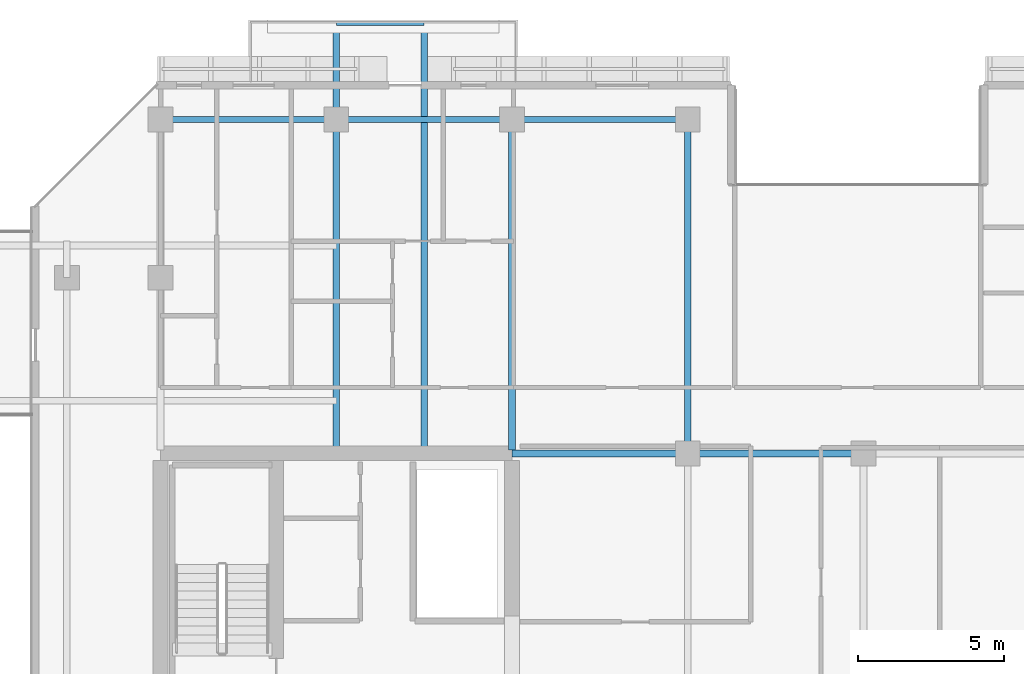
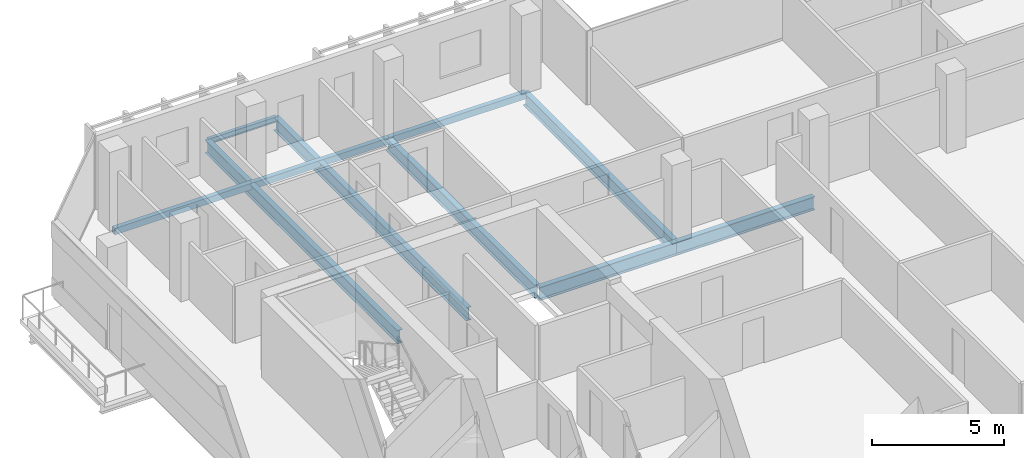
# One storey, part 9 of 30: 10 beams.
"""IFC4 building model written with IfcOpenShell, lengths in metres."""

from ifc_helpers import new_model, si_unit, direction, frame, origin, origin_2d, place, context, subcontext, project, spatial, hollow_rectangle, i_section, extrude, material, material_profile, profile_set, type_object, element, save


model = new_model("IFC4")

# Units and contexts
model_context = context("Model", 3, precision=1e-05, world=origin(), true_north=direction((0.0, 1.0)))
body_context = subcontext(model_context, "Body", "Model", "MODEL_VIEW")
ifc_project = project(units=[si_unit("LENGTHUNIT", "METRE"), si_unit("AREAUNIT", "SQUARE_METRE"), si_unit("VOLUMEUNIT", "CUBIC_METRE"), si_unit("PLANEANGLEUNIT", "RADIAN"), si_unit("MASSUNIT", "GRAM", prefix="KILO")], contexts=[model_context])

# Site, building, storey
site_placement = place(None, origin())
site = spatial("IfcSite", under=ifc_project, at=site_placement, CompositionType="ELEMENT")
building_placement = place(site_placement, origin())
building = spatial("IfcBuilding", under=site, at=building_placement, Name="Tanjung Sevakor Pilgrim Tower", CompositionType="ELEMENT")
storey_placement = place(building_placement, frame((0.0, 0.0, 165.659912109375)))
storey = spatial("IfcBuildingStorey", under=building, at=storey_placement, Name="L46", CompositionType="ELEMENT", Elevation=165.659912109375)

# Beams
ifc_material_1 = material(Name="Steel S355J2", Category="steel")
ifc_material_profile_1 = material_profile(ifc_material_1, i_section(OverallWidth=0.230224609375, OverallDepth=0.6171875, WebThickness=0.01318359375, FlangeThickness=0.022216796875, FilletRadius=0.0126953125, at=origin_2d()))
ifc_profile_set_1 = profile_set([ifc_material_profile_1], Name="Steel S355J2")
beam_type_1 = type_object("IfcBeamType", Name="BM-B-G3-UB_610x229x140", PredefinedType="BEAM", material=ifc_profile_set_1)
for number, where, z_axis, x_axis, name in (
    (1, (36.0, 42.60009765625, -0.528564453125), (1.0, 0.0, 0.0), (0.0, 1.0, 0.0), "L46 Primary Floor Girder MAIN Y426-01"),
    (2, (42.0, 42.60009765625, -0.528564453125), (1.0, 0.0, 0.0), (0.0, 1.0, 0.0), "L46 Primary Floor Girder MAIN Y426-02"),
):
    element("IfcBeam", number, at=place(storey_placement, frame(where, z_axis=z_axis, x_axis=x_axis)), inside=storey, type_object=beam_type_1, Name=name, PredefinedType="BEAM", context=body_context, shape_type="SweptSolid", body=[
        extrude(i_section(OverallWidth=0.230224609375, OverallDepth=0.6171875, WebThickness=0.01318359375, FlangeThickness=0.022216796875, FilletRadius=0.0126953125, at=origin_2d()), origin(), (0.0, 0.0, 1.0), 6.0),
    ])
ifc_material_2 = material(Name="Steel S355J2", Category="steel")
ifc_material_profile_2 = material_profile(ifc_material_2, i_section(OverallWidth=0.22900390625, OverallDepth=0.6123046875, WebThickness=0.011962890625, FlangeThickness=0.01953125, FilletRadius=0.0126953125, at=origin_2d()))
ifc_profile_set_2 = profile_set([ifc_material_profile_2], Name="Steel S355J2")
beam_type_2 = type_object("IfcBeamType", Name="BM-B-G4-UB_610x229x125", PredefinedType="BEAM", material=ifc_profile_set_2)
for number, where, z_axis, x_axis, name in (
    (3, (30.0, 42.715087890625, -0.526123046875), (0.0, 1.0, 0.0), (-1.0, 0.0, 0.0), "L46 Balcony Cantilever Beam MAIN-N1-1"),
    (4, (33.0, 42.715087890625, -0.526123046875), (0.0, 1.0, 0.0), (-1.0, 0.0, 0.0), "L46 Balcony Cantilever Beam MAIN-N1-2"),
):
    element("IfcBeam", number, at=place(storey_placement, frame(where, z_axis=z_axis, x_axis=x_axis)), inside=storey, type_object=beam_type_2, Name=name, PredefinedType="BEAM", context=body_context, shape_type="SweptSolid", body=[
        extrude(i_section(OverallWidth=0.22900390625, OverallDepth=0.6123046875, WebThickness=0.011962890625, FlangeThickness=0.01953125, FilletRadius=0.0126953125, at=origin_2d()), origin(), (0.0, 0.0, 1.0), 14.56494140625),
    ])
beam_1_placement = place(storey_placement, frame((36.0, 42.715087890625, -0.526123046875), z_axis=(0.0, 1.0, 0.0), x_axis=(-1.0, 0.0, 0.0)))
element("IfcBeam", 5, at=beam_1_placement, inside=storey, type_object=beam_type_2, Name="L46 MAIN Girder 004", PredefinedType="BEAM", context=body_context, shape_type="SweptSolid", body=[
    extrude(i_section(OverallWidth=0.22900390625, OverallDepth=0.6123046875, WebThickness=0.011962890625, FlangeThickness=0.01953125, FilletRadius=0.0126953125, at=origin_2d()), origin(), (0.0, 0.0, 1.0), 11.284912109375),
])
beam_2_placement = place(storey_placement, frame((42.0, 42.60009765625, -0.526123046875), z_axis=(0.0, 1.0, 0.0), x_axis=(-1.0, 0.0, 0.0)))
element("IfcBeam", 6, at=beam_2_placement, inside=storey, type_object=beam_type_2, Name="L46 MAIN Girder 007", PredefinedType="BEAM", context=body_context, shape_type="SweptSolid", body=[
    extrude(i_section(OverallWidth=0.22900390625, OverallDepth=0.6123046875, WebThickness=0.011962890625, FlangeThickness=0.01953125, FilletRadius=0.0126953125, at=origin_2d()), origin(), (0.0, 0.0, 1.0), 11.39990234375),
])
ifc_material_3 = material(Name="Steel S355J2", Category="steel")
ifc_material_profile_3 = material_profile(ifc_material_3, i_section(OverallWidth=0.146484375, OverallDepth=0.256103515625, WebThickness=0.00634765625, FlangeThickness=0.010986328125, FilletRadius=0.007568359375, at=origin_2d()))
ifc_profile_set_3 = profile_set([ifc_material_profile_3], Name="Steel S355J2")
beam_type_3 = type_object("IfcBeamType", Name="BM-B-J6-UB_254x146x37", PredefinedType="JOIST", material=ifc_profile_set_3)
beam_3_placement = place(storey_placement, frame((30.0, 57.280029296875, -0.327880859375), z_axis=(1.0, 0.0, 0.0), x_axis=(0.0, 1.0, 0.0)))
element("IfcBeam", 7, at=beam_3_placement, inside=storey, type_object=beam_type_3, Name="L46 Balcony Rim Tie MAIN-N1", PredefinedType="JOIST", context=body_context, shape_type="SweptSolid", body=[
    extrude(i_section(OverallWidth=0.146484375, OverallDepth=0.256103515625, WebThickness=0.00634765625, FlangeThickness=0.010986328125, FilletRadius=0.007568359375, at=origin_2d()), origin(), (0.0, 0.0, 1.0), 3.0),
])
ifc_material_4 = material(Name="Steel S355J2", Category="steel")
ifc_material_profile_4 = material_profile(ifc_material_4, hollow_rectangle(XDim=0.199951171875, YDim=0.300048828125, WallThickness=0.012451171875, at=origin_2d()))
ifc_profile_set_4 = profile_set([ifc_material_profile_4], Name="Steel S355J2")
beam_type_4 = type_object("IfcBeamType", Name="BM-B-SP3-RHS_300x200x12.5", PredefinedType="SPANDREL", material=ifc_profile_set_4)
for number, where, z_axis, x_axis, name in (
    (8, (24.0, 54.0, -0.369873046875), (1.0, 0.0, 0.0), (0.0, 1.0, 0.0), "L46 Spandrel MAIN N-02"),
    (9, (30.0, 54.0, -0.369873046875), (1.0, 0.0, 0.0), (0.0, 1.0, 0.0), "L46 Spandrel MAIN N-04"),
    (10, (36.0, 54.0, -0.369873046875), (1.0, 0.0, 0.0), (0.0, 1.0, 0.0), "L46 Spandrel MAIN N-06"),
):
    element("IfcBeam", number, at=place(storey_placement, frame(where, z_axis=z_axis, x_axis=x_axis)), inside=storey, type_object=beam_type_4, Name=name, PredefinedType="SPANDREL", context=body_context, shape_type="SweptSolid", body=[
        extrude(hollow_rectangle(XDim=0.199951171875, YDim=0.300048828125, WallThickness=0.012451171875, at=origin_2d()), origin(), (0.0, 0.0, 1.0), 6.0),
    ])

save(model, "model.ifc")
